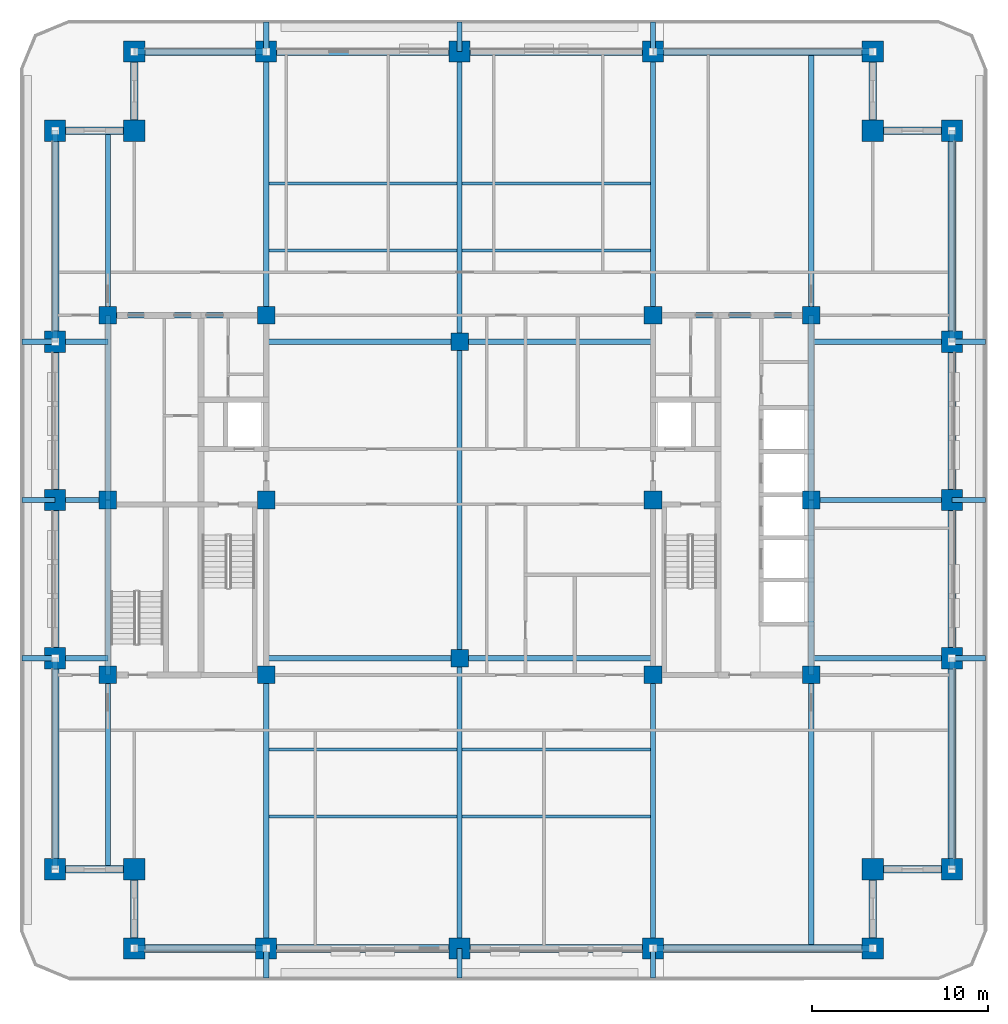
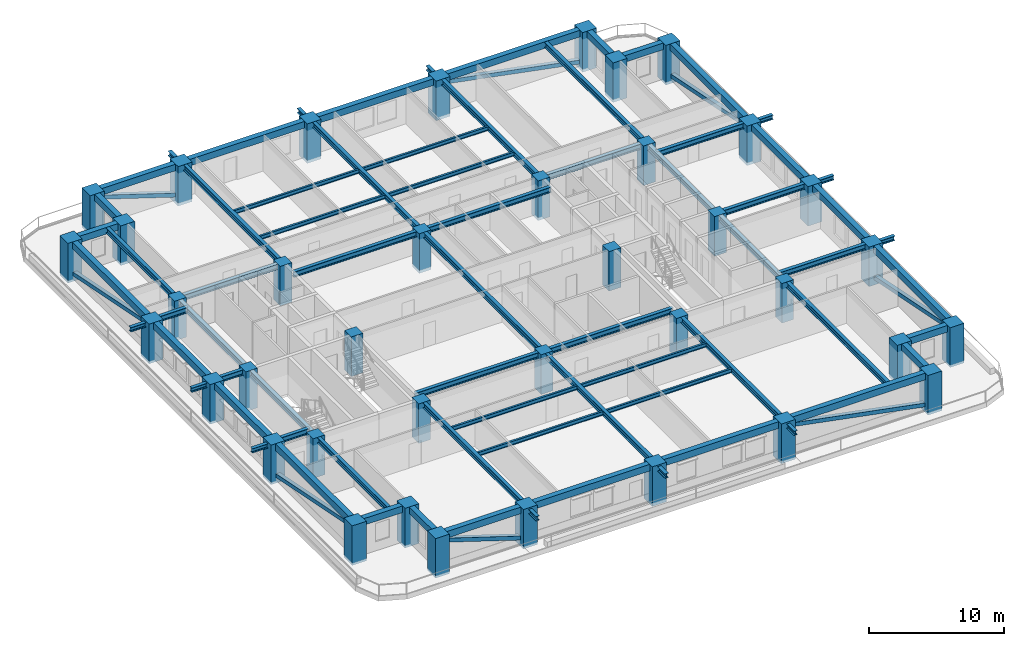
# One storey, part 1 of 14: 71 beams, 38 columns, 8 members.
"""IFC4 building model written with IfcOpenShell, lengths in metres."""

from ifc_helpers import new_model, si_unit, direction, frame, origin, origin_2d, place, context, subcontext, project, spatial, rectangle, hollow_rectangle, i_section, extrude, material, material_profile, profile_set, type_object, element, save


model = new_model("IFC4")

# Units and contexts
model_context = context("Model", 3, precision=1e-05, world=origin(), true_north=direction((0.0, 1.0)))
body_context = subcontext(model_context, "Body", "Model", "MODEL_VIEW")
ifc_project = project(units=[si_unit("LENGTHUNIT", "METRE"), si_unit("AREAUNIT", "SQUARE_METRE"), si_unit("VOLUMEUNIT", "CUBIC_METRE"), si_unit("PLANEANGLEUNIT", "RADIAN"), si_unit("MASSUNIT", "GRAM", prefix="KILO")], contexts=[model_context])

# Site, building, storey
site_placement = place(None, origin())
site = spatial("IfcSite", under=ifc_project, at=site_placement, CompositionType="ELEMENT")
building_placement = place(site_placement, origin())
building = spatial("IfcBuilding", under=site, at=building_placement, Name="Zulmaris Gate Convention Tower", CompositionType="ELEMENT")
storey_placement = place(building_placement, frame((0.0, 0.0, 102.06982421875)))
storey = spatial("IfcBuildingStorey", under=building, at=storey_placement, Name="L25", CompositionType="ELEMENT", Elevation=102.06982421875)

# Columns
ifc_material_1 = material(Name="Concrete C60/75", Category="concrete")
ifc_material_profile_1 = material_profile(ifc_material_1, rectangle(XDim=1.0, YDim=1.0, at=origin_2d()), Name="RC COL 1000x1000")
ifc_profile_set_1 = profile_set([ifc_material_profile_1], Name="Concrete C60/75")
column_type_1 = type_object("IfcColumnType", Name="COL-RC1000", PredefinedType="COLUMN", material=ifc_profile_set_1)
for number, where, z_axis, x_axis, name in (
    (1, (-20.0, -9.949951171875, -0.25), (0.0, 0.0, 1.0), (1.0, 0.0, 0.0), "L25 Column IN--20.00_-9.95"),
    (2, (-20.0, 10.5, -0.25), (0.0, 0.0, 1.0), (1.0, 0.0, 0.0), "L25 Column IN--20.00_+10.50"),
    (3, (-11.0, -9.949951171875, -0.25), (0.0, 0.0, 1.0), (1.0, 0.0, 0.0), "L25 Column IN--11.00_-9.95"),
    (4, (-11.0, 0.0, -0.25), (0.0, 0.0, 1.0), (1.0, 0.0, 0.0), "L25 Column IN--11.00_+0.00"),
    (5, (-11.0, 10.5, -0.25), (0.0, 0.0, 1.0), (1.0, 0.0, 0.0), "L25 Column IN--11.00_+10.50"),
    (6, (11.0, -9.949951171875, -0.25), (0.0, 0.0, 1.0), (1.0, 0.0, 0.0), "L25 Column IN-+11.00_-9.95"),
    (7, (11.0, 0.0, -0.25), (0.0, 0.0, 1.0), (1.0, 0.0, 0.0), "L25 Column IN-+11.00_+0.00"),
    (8, (11.0, 10.5, -0.25), (0.0, 0.0, 1.0), (1.0, 0.0, 0.0), "L25 Column IN-+11.00_+10.50"),
    (9, (20.0, -9.949951171875, -0.25), (0.0, 0.0, 1.0), (1.0, 0.0, 0.0), "L25 Column IN-+20.00_-9.95"),
    (10, (20.0, 10.5, -0.25), (0.0, 0.0, 1.0), (1.0, 0.0, 0.0), "L25 Column IN-+20.00_+10.50"),
    (11, (0.0, -9.0, -0.25), (0.0, 0.0, 1.0), (1.0, 0.0, 0.0), "L25 Column IN-+0.00_-9.00"),
    (12, (0.0, 9.0, -0.25), (0.0, 0.0, 1.0), (1.0, 0.0, 0.0), "L25 Column IN-+0.00_+9.00"),
    (13, (-20.0, 0.0, -0.25), (0.0, 0.0, 1.0), (1.0, 0.0, 0.0), "L25 Column IN--20.00_+0.00"),
    (14, (20.0, 0.0, -0.25), (0.0, 0.0, 1.0), (1.0, 0.0, 0.0), "L25 Column IN-+20.00_+0.00"),
):
    element("IfcColumn", number, at=place(storey_placement, frame(where, z_axis=z_axis, x_axis=x_axis)), inside=storey, type_object=column_type_1, Name=name, PredefinedType="COLUMN", context=body_context, shape_type="SweptSolid", body=[
        extrude(rectangle(XDim=1.0, YDim=1.0, at=origin_2d()), origin(), (0.0, 0.0, 1.0), 3.570068359375),
    ])
ifc_material_2 = material(Name="Concrete C70/85", Category="concrete")
ifc_material_profile_2 = material_profile(ifc_material_2, rectangle(XDim=1.199951171875, YDim=1.199951171875, at=origin_2d()), Name="RC COL 1200x1200")
ifc_profile_set_2 = profile_set([ifc_material_profile_2], Name="Concrete C70/85")
column_type_2 = type_object("IfcColumnType", Name="COL-RC1200", PredefinedType="COLUMN", material=ifc_profile_set_2)
for number, where, z_axis, x_axis, name in (
    (15, (-18.5, -25.5, -0.25), (0.0, 0.0, 1.0), (1.0, 0.0, 0.0), "L25 Column PT--18.50_-25.50"),
    (16, (-11.0, -25.5, -0.25), (0.0, 0.0, 1.0), (1.0, 0.0, 0.0), "L25 Column PT--11.00_-25.50"),
    (17, (0.0, -25.5, -0.25), (0.0, 0.0, 1.0), (1.0, 0.0, 0.0), "L25 Column PT-+0.00_-25.50"),
    (18, (11.0, -25.5, -0.25), (0.0, 0.0, 1.0), (1.0, 0.0, 0.0), "L25 Column PT-+11.00_-25.50"),
    (19, (23.5, -25.5, -0.25), (0.0, 0.0, 1.0), (1.0, 0.0, 0.0), "L25 Column PT-+23.50_-25.50"),
    (20, (-18.5, 25.5, -0.25), (0.0, 0.0, 1.0), (1.0, 0.0, 0.0), "L25 Column PT--18.50_+25.50"),
    (21, (-11.0, 25.5, -0.25), (0.0, 0.0, 1.0), (1.0, 0.0, 0.0), "L25 Column PT--11.00_+25.50"),
    (22, (0.0, 25.5, -0.25), (0.0, 0.0, 1.0), (1.0, 0.0, 0.0), "L25 Column PT-+0.00_+25.50"),
    (23, (11.0, 25.5, -0.25), (0.0, 0.0, 1.0), (1.0, 0.0, 0.0), "L25 Column PT-+11.00_+25.50"),
    (24, (23.5, 25.5, -0.25), (0.0, 0.0, 1.0), (1.0, 0.0, 0.0), "L25 Column PT-+23.50_+25.50"),
    (25, (-23.0, -21.0, -0.25), (0.0, 0.0, 1.0), (1.0, 0.0, 0.0), "L25 Column PT--23.00_-21.00"),
    (26, (-23.0, -9.0, -0.25), (0.0, 0.0, 1.0), (1.0, 0.0, 0.0), "L25 Column PT--23.00_-9.00"),
    (27, (-23.0, 0.0, -0.25), (0.0, 0.0, 1.0), (1.0, 0.0, 0.0), "L25 Column PT--23.00_+0.00"),
    (28, (-23.0, 9.0, -0.25), (0.0, 0.0, 1.0), (1.0, 0.0, 0.0), "L25 Column PT--23.00_+9.00"),
    (29, (-23.0, 21.0, -0.25), (0.0, 0.0, 1.0), (1.0, 0.0, 0.0), "L25 Column PT--23.00_+21.00"),
    (30, (28.0, -21.0, -0.25), (0.0, 0.0, 1.0), (1.0, 0.0, 0.0), "L25 Column PT-+28.00_-21.00"),
    (31, (28.0, -9.0, -0.25), (0.0, 0.0, 1.0), (1.0, 0.0, 0.0), "L25 Column PT-+28.00_-9.00"),
    (32, (28.0, 0.0, -0.25), (0.0, 0.0, 1.0), (1.0, 0.0, 0.0), "L25 Column PT-+28.00_+0.00"),
    (33, (28.0, 9.0, -0.25), (0.0, 0.0, 1.0), (1.0, 0.0, 0.0), "L25 Column PT-+28.00_+9.00"),
    (34, (28.0, 21.0, -0.25), (0.0, 0.0, 1.0), (1.0, 0.0, 0.0), "L25 Column PT-+28.00_+21.00"),
    (35, (-18.5, -21.0, -0.25), (0.0, 0.0, 1.0), (1.0, 0.0, 0.0), "L25 Column PT--18.50_-21.00"),
    (36, (23.5, -21.0, -0.25), (0.0, 0.0, 1.0), (1.0, 0.0, 0.0), "L25 Column PT-+23.50_-21.00"),
    (37, (23.5, 21.0, -0.25), (0.0, 0.0, 1.0), (1.0, 0.0, 0.0), "L25 Column PT-+23.50_+21.00"),
    (38, (-18.5, 21.0, -0.25), (0.0, 0.0, 1.0), (1.0, 0.0, 0.0), "L25 Column PT--18.50_+21.00"),
):
    element("IfcColumn", number, at=place(storey_placement, frame(where, z_axis=z_axis, x_axis=x_axis)), inside=storey, type_object=column_type_2, Name=name, PredefinedType="COLUMN", context=body_context, shape_type="SweptSolid", body=[
        extrude(rectangle(XDim=1.199951171875, YDim=1.199951171875, at=origin_2d()), origin(), (0.0, 0.0, 1.0), 3.570068359375),
    ])

# Beams
ifc_material_3 = material(Name="Steel S355", Category="steel")
ifc_material_profile_3 = material_profile(ifc_material_3, i_section(OverallWidth=0.300048828125, OverallDepth=0.39990234375, WebThickness=0.013427734375, FlangeThickness=0.02392578125, FilletRadius=0.027099609375, at=origin_2d()), Name="HEB 400")
ifc_profile_set_3 = profile_set([ifc_material_profile_3], Name="Steel S355")
beam_type_1 = type_object("IfcBeamType", Name="BM-HEB400", PredefinedType="BEAM", material=ifc_profile_set_3)
for number, where, z_axis, x_axis, name in (
    (39, (-11.0, -27.199951171875, 2.97998046875), (0.0, 1.0, 0.0), (-1.0, 0.0, 0.0), "L25 Beam TBRK-L25-S--11"),
    (40, (-11.0, 25.5, 2.97998046875), (0.0, 1.0, 0.0), (-1.0, 0.0, 0.0), "L25 Beam TBRK-L25-N--11"),
    (41, (0.0, -27.199951171875, 2.97998046875), (0.0, 1.0, 0.0), (-1.0, 0.0, 0.0), "L25 Beam TBRK-L25-S-+0"),
    (42, (0.0, 25.5, 2.97998046875), (0.0, 1.0, 0.0), (-1.0, 0.0, 0.0), "L25 Beam TBRK-L25-N-+0"),
    (43, (11.0, -27.199951171875, 2.97998046875), (0.0, 1.0, 0.0), (-1.0, 0.0, 0.0), "L25 Beam TBRK-L25-S-+11"),
    (44, (11.0, 25.5, 2.97998046875), (0.0, 1.0, 0.0), (-1.0, 0.0, 0.0), "L25 Beam TBRK-L25-N-+11"),
):
    element("IfcBeam", number, at=place(storey_placement, frame(where, z_axis=z_axis, x_axis=x_axis)), inside=storey, type_object=beam_type_1, Name=name, PredefinedType="BEAM", context=body_context, shape_type="SweptSolid", body=[
        extrude(i_section(OverallWidth=0.300048828125, OverallDepth=0.39990234375, WebThickness=0.013427734375, FlangeThickness=0.02392578125, FilletRadius=0.027099609375, at=origin_2d()), origin(), (0.0, 0.0, 1.0), 1.699951171875),
    ])
for number, where, z_axis, x_axis, name in (
    (45, (-24.89990234375, -9.0, 2.97998046875), (1.0, 0.0, 0.0), (0.0, 1.0, 0.0), "L25 Beam TBRK-L25-W--9"),
    (46, (28.0, -9.0, 2.97998046875), (1.0, 0.0, 0.0), (0.0, 1.0, 0.0), "L25 Beam TBRK-L25-E--9"),
    (47, (-24.89990234375, 0.0, 2.97998046875), (1.0, 0.0, 0.0), (0.0, 1.0, 0.0), "L25 Beam TBRK-L25-W-+0"),
    (48, (28.0, 0.0, 2.97998046875), (1.0, 0.0, 0.0), (0.0, 1.0, 0.0), "L25 Beam TBRK-L25-E-+0"),
    (49, (-24.89990234375, 9.0, 2.97998046875), (1.0, 0.0, 0.0), (0.0, 1.0, 0.0), "L25 Beam TBRK-L25-W-+9"),
    (50, (28.0, 9.0, 2.97998046875), (1.0, 0.0, 0.0), (0.0, 1.0, 0.0), "L25 Beam TBRK-L25-E-+9"),
):
    element("IfcBeam", number, at=place(storey_placement, frame(where, z_axis=z_axis, x_axis=x_axis)), inside=storey, type_object=beam_type_1, Name=name, PredefinedType="BEAM", context=body_context, shape_type="SweptSolid", body=[
        extrude(i_section(OverallWidth=0.300048828125, OverallDepth=0.39990234375, WebThickness=0.013427734375, FlangeThickness=0.02392578125, FilletRadius=0.027099609375, at=origin_2d()), origin(), (0.0, 0.0, 1.0), 1.89990234375),
    ])
ifc_material_profile_4 = material_profile(ifc_material_3, i_section(OverallWidth=0.300048828125, OverallDepth=0.5, WebThickness=0.014404296875, FlangeThickness=0.028076171875, FilletRadius=0.027099609375, at=origin_2d()), Name="HEB 500")
ifc_profile_set_4 = profile_set([ifc_material_profile_4], Name="Steel S355")
beam_type_2 = type_object("IfcBeamType", Name="BM-HEB500", PredefinedType="BEAM", material=ifc_profile_set_4)
for number, where, z_axis, x_axis, name in (
    (51, (-11.0, -9.0, 3.068115234375), (1.0, 0.0, 0.0), (0.0, 1.0, 0.0), "L25 Beam BM-L25-G01"),
    (52, (0.0, -9.0, 3.068115234375), (1.0, 0.0, 0.0), (0.0, 1.0, 0.0), "L25 Beam BM-L25-G02"),
    (53, (-11.0, 9.0, 3.068115234375), (1.0, 0.0, 0.0), (0.0, 1.0, 0.0), "L25 Beam BM-L25-G03"),
    (54, (0.0, 9.0, 3.068115234375), (1.0, 0.0, 0.0), (0.0, 1.0, 0.0), "L25 Beam BM-L25-G04"),
):
    element("IfcBeam", number, at=place(storey_placement, frame(where, z_axis=z_axis, x_axis=x_axis)), inside=storey, type_object=beam_type_2, Name=name, PredefinedType="BEAM", context=body_context, shape_type="SweptSolid", body=[
        extrude(i_section(OverallWidth=0.300048828125, OverallDepth=0.5, WebThickness=0.014404296875, FlangeThickness=0.028076171875, FilletRadius=0.027099609375, at=origin_2d()), origin(), (0.0, 0.0, 1.0), 11.0),
    ])
beam_1_placement = place(storey_placement, frame((0.0, -25.5, 3.068115234375), z_axis=(0.0, 1.0, 0.0), x_axis=(-1.0, 0.0, 0.0)))
element("IfcBeam", 55, at=beam_1_placement, inside=storey, type_object=beam_type_2, Name="L25 Beam BM-L25-G05", PredefinedType="BEAM", context=body_context, shape_type="SweptSolid", body=[
    extrude(i_section(OverallWidth=0.300048828125, OverallDepth=0.5, WebThickness=0.014404296875, FlangeThickness=0.028076171875, FilletRadius=0.027099609375, at=origin_2d()), origin(), (0.0, 0.0, 1.0), 16.5),
])
beam_2_placement = place(storey_placement, frame((0.0, -9.0, 3.068115234375), z_axis=(0.0, 1.0, 0.0), x_axis=(-1.0, 0.0, 0.0)))
element("IfcBeam", 56, at=beam_2_placement, inside=storey, type_object=beam_type_2, Name="L25 Beam BM-L25-G06", PredefinedType="BEAM", context=body_context, shape_type="SweptSolid", body=[
    extrude(i_section(OverallWidth=0.300048828125, OverallDepth=0.5, WebThickness=0.014404296875, FlangeThickness=0.028076171875, FilletRadius=0.027099609375, at=origin_2d()), origin(), (0.0, 0.0, 1.0), 18.0),
])
beam_3_placement = place(storey_placement, frame((0.0, 9.0, 3.068115234375), z_axis=(0.0, 1.0, 0.0), x_axis=(-1.0, 0.0, 0.0)))
element("IfcBeam", 57, at=beam_3_placement, inside=storey, type_object=beam_type_2, Name="L25 Beam BM-L25-G07", PredefinedType="BEAM", context=body_context, shape_type="SweptSolid", body=[
    extrude(i_section(OverallWidth=0.300048828125, OverallDepth=0.5, WebThickness=0.014404296875, FlangeThickness=0.028076171875, FilletRadius=0.027099609375, at=origin_2d()), origin(), (0.0, 0.0, 1.0), 16.5),
])
beam_4_placement = place(storey_placement, frame((-11.0, -25.5, 3.068115234375), z_axis=(0.0, 1.0, 0.0), x_axis=(-1.0, 0.0, 0.0)))
element("IfcBeam", 58, at=beam_4_placement, inside=storey, type_object=beam_type_2, Name="L25 Beam BM-L25-G08", PredefinedType="BEAM", context=body_context, shape_type="SweptSolid", body=[
    extrude(i_section(OverallWidth=0.300048828125, OverallDepth=0.5, WebThickness=0.014404296875, FlangeThickness=0.028076171875, FilletRadius=0.027099609375, at=origin_2d()), origin(), (0.0, 0.0, 1.0), 15.550048828125),
])
beam_5_placement = place(storey_placement, frame((-11.0, 10.5, 3.068115234375), z_axis=(0.0, 1.0, 0.0), x_axis=(-1.0, 0.0, 0.0)))
element("IfcBeam", 59, at=beam_5_placement, inside=storey, type_object=beam_type_2, Name="L25 Beam BM-L25-G09", PredefinedType="BEAM", context=body_context, shape_type="SweptSolid", body=[
    extrude(i_section(OverallWidth=0.300048828125, OverallDepth=0.5, WebThickness=0.014404296875, FlangeThickness=0.028076171875, FilletRadius=0.027099609375, at=origin_2d()), origin(), (0.0, 0.0, 1.0), 15.0),
])
beam_6_placement = place(storey_placement, frame((11.0, -25.5, 3.068115234375), z_axis=(0.0, 1.0, 0.0), x_axis=(-1.0, 0.0, 0.0)))
element("IfcBeam", 60, at=beam_6_placement, inside=storey, type_object=beam_type_2, Name="L25 Beam BM-L25-G10", PredefinedType="BEAM", context=body_context, shape_type="SweptSolid", body=[
    extrude(i_section(OverallWidth=0.300048828125, OverallDepth=0.5, WebThickness=0.014404296875, FlangeThickness=0.028076171875, FilletRadius=0.027099609375, at=origin_2d()), origin(), (0.0, 0.0, 1.0), 15.550048828125),
])
beam_7_placement = place(storey_placement, frame((11.0, 10.5, 3.068115234375), z_axis=(0.0, 1.0, 0.0), x_axis=(-1.0, 0.0, 0.0)))
element("IfcBeam", 61, at=beam_7_placement, inside=storey, type_object=beam_type_2, Name="L25 Beam BM-L25-G11", PredefinedType="BEAM", context=body_context, shape_type="SweptSolid", body=[
    extrude(i_section(OverallWidth=0.300048828125, OverallDepth=0.5, WebThickness=0.014404296875, FlangeThickness=0.028076171875, FilletRadius=0.027099609375, at=origin_2d()), origin(), (0.0, 0.0, 1.0), 15.0),
])
beam_8_placement = place(storey_placement, frame((-20.0, -21.0, 3.068115234375), z_axis=(0.0, 1.0, 0.0), x_axis=(-1.0, 0.0, 0.0)))
element("IfcBeam", 62, at=beam_8_placement, inside=storey, type_object=beam_type_2, Name="L25 Beam BM-L25-G12", PredefinedType="BEAM", context=body_context, shape_type="SweptSolid", body=[
    extrude(i_section(OverallWidth=0.300048828125, OverallDepth=0.5, WebThickness=0.014404296875, FlangeThickness=0.028076171875, FilletRadius=0.027099609375, at=origin_2d()), origin(), (0.0, 0.0, 1.0), 11.050048828125),
])
beam_9_placement = place(storey_placement, frame((-20.0, 10.5, 3.068115234375), z_axis=(0.0, 1.0, 0.0), x_axis=(-1.0, 0.0, 0.0)))
element("IfcBeam", 63, at=beam_9_placement, inside=storey, type_object=beam_type_2, Name="L25 Beam BM-L25-G13", PredefinedType="BEAM", context=body_context, shape_type="SweptSolid", body=[
    extrude(i_section(OverallWidth=0.300048828125, OverallDepth=0.5, WebThickness=0.014404296875, FlangeThickness=0.028076171875, FilletRadius=0.027099609375, at=origin_2d()), origin(), (0.0, 0.0, 1.0), 10.5),
])
beam_10_placement = place(storey_placement, frame((20.0, -25.5, 3.068115234375), z_axis=(0.0, 1.0, 0.0), x_axis=(-1.0, 0.0, 0.0)))
element("IfcBeam", 64, at=beam_10_placement, inside=storey, type_object=beam_type_2, Name="L25 Beam BM-L25-G14", PredefinedType="BEAM", context=body_context, shape_type="SweptSolid", body=[
    extrude(i_section(OverallWidth=0.300048828125, OverallDepth=0.5, WebThickness=0.014404296875, FlangeThickness=0.028076171875, FilletRadius=0.027099609375, at=origin_2d()), origin(), (0.0, 0.0, 1.0), 15.550048828125),
])
beam_11_placement = place(storey_placement, frame((20.0, 10.5, 3.068115234375), z_axis=(0.0, 1.0, 0.0), x_axis=(-1.0, 0.0, 0.0)))
element("IfcBeam", 65, at=beam_11_placement, inside=storey, type_object=beam_type_2, Name="L25 Beam BM-L25-G15", PredefinedType="BEAM", context=body_context, shape_type="SweptSolid", body=[
    extrude(i_section(OverallWidth=0.300048828125, OverallDepth=0.5, WebThickness=0.014404296875, FlangeThickness=0.028076171875, FilletRadius=0.027099609375, at=origin_2d()), origin(), (0.0, 0.0, 1.0), 15.0),
])
for number, where, z_axis, x_axis, name in (
    (66, (-23.0, -9.0, 3.068115234375), (1.0, 0.0, 0.0), (0.0, 1.0, 0.0), "L25 Beam BM-L25-G16"),
    (67, (-23.0, 0.0, 3.068115234375), (1.0, 0.0, 0.0), (0.0, 1.0, 0.0), "L25 Beam BM-L25-G17"),
    (68, (-23.0, 9.0, 3.068115234375), (1.0, 0.0, 0.0), (0.0, 1.0, 0.0), "L25 Beam BM-L25-G18"),
):
    element("IfcBeam", number, at=place(storey_placement, frame(where, z_axis=z_axis, x_axis=x_axis)), inside=storey, type_object=beam_type_2, Name=name, PredefinedType="BEAM", context=body_context, shape_type="SweptSolid", body=[
        extrude(i_section(OverallWidth=0.300048828125, OverallDepth=0.5, WebThickness=0.014404296875, FlangeThickness=0.028076171875, FilletRadius=0.027099609375, at=origin_2d()), origin(), (0.0, 0.0, 1.0), 3.0),
    ])
for number, where, z_axis, x_axis, name in (
    (69, (20.0, -9.0, 3.068115234375), (1.0, 0.0, 0.0), (0.0, 1.0, 0.0), "L25 Beam BM-L25-G19"),
    (70, (20.0, 0.0, 3.068115234375), (1.0, 0.0, 0.0), (0.0, 1.0, 0.0), "L25 Beam BM-L25-G20"),
    (71, (20.0, 9.0, 3.068115234375), (1.0, 0.0, 0.0), (0.0, 1.0, 0.0), "L25 Beam BM-L25-G21"),
):
    element("IfcBeam", number, at=place(storey_placement, frame(where, z_axis=z_axis, x_axis=x_axis)), inside=storey, type_object=beam_type_2, Name=name, PredefinedType="BEAM", context=body_context, shape_type="SweptSolid", body=[
        extrude(i_section(OverallWidth=0.300048828125, OverallDepth=0.5, WebThickness=0.014404296875, FlangeThickness=0.028076171875, FilletRadius=0.027099609375, at=origin_2d()), origin(), (0.0, 0.0, 1.0), 8.0),
    ])
for number, where, z_axis, x_axis, name in (
    (72, (-20.0, 10.5, 3.068115234375), (1.0, 0.0, 0.0), (0.0, 1.0, 0.0), "L25 Beam BM-L25-G23"),
    (73, (11.0, 10.5, 3.068115234375), (1.0, 0.0, 0.0), (0.0, 1.0, 0.0), "L25 Beam BM-L25-G25"),
):
    element("IfcBeam", number, at=place(storey_placement, frame(where, z_axis=z_axis, x_axis=x_axis)), inside=storey, type_object=beam_type_2, Name=name, PredefinedType="BEAM", context=body_context, shape_type="SweptSolid", body=[
        extrude(i_section(OverallWidth=0.300048828125, OverallDepth=0.5, WebThickness=0.014404296875, FlangeThickness=0.028076171875, FilletRadius=0.027099609375, at=origin_2d()), origin(), (0.0, 0.0, 1.0), 9.0),
    ])
beam_12_placement = place(storey_placement, frame((-20.0, -9.949951171875, 3.068115234375), z_axis=(0.0, 1.0, 0.0), x_axis=(-1.0, 0.0, 0.0)))
element("IfcBeam", 74, at=beam_12_placement, inside=storey, type_object=beam_type_2, Name="L25 Beam BM-L25-G26", PredefinedType="BEAM", context=body_context, shape_type="SweptSolid", body=[
    extrude(i_section(OverallWidth=0.300048828125, OverallDepth=0.5, WebThickness=0.014404296875, FlangeThickness=0.028076171875, FilletRadius=0.027099609375, at=origin_2d()), origin(), (0.0, 0.0, 1.0), 9.949951171875),
])
beam_13_placement = place(storey_placement, frame((-20.0, 0.0, 3.068115234375), z_axis=(0.0, 1.0, 0.0), x_axis=(-1.0, 0.0, 0.0)))
element("IfcBeam", 75, at=beam_13_placement, inside=storey, type_object=beam_type_2, Name="L25 Beam BM-L25-G27", PredefinedType="BEAM", context=body_context, shape_type="SweptSolid", body=[
    extrude(i_section(OverallWidth=0.300048828125, OverallDepth=0.5, WebThickness=0.014404296875, FlangeThickness=0.028076171875, FilletRadius=0.027099609375, at=origin_2d()), origin(), (0.0, 0.0, 1.0), 10.5),
])
beam_14_placement = place(storey_placement, frame((20.0, -9.949951171875, 3.068115234375), z_axis=(0.0, 1.0, 0.0), x_axis=(-1.0, 0.0, 0.0)))
element("IfcBeam", 76, at=beam_14_placement, inside=storey, type_object=beam_type_2, Name="L25 Beam BM-L25-G28", PredefinedType="BEAM", context=body_context, shape_type="SweptSolid", body=[
    extrude(i_section(OverallWidth=0.300048828125, OverallDepth=0.5, WebThickness=0.014404296875, FlangeThickness=0.028076171875, FilletRadius=0.027099609375, at=origin_2d()), origin(), (0.0, 0.0, 1.0), 9.949951171875),
])
beam_15_placement = place(storey_placement, frame((20.0, 0.0, 3.068115234375), z_axis=(0.0, 1.0, 0.0), x_axis=(-1.0, 0.0, 0.0)))
element("IfcBeam", 77, at=beam_15_placement, inside=storey, type_object=beam_type_2, Name="L25 Beam BM-L25-G29", PredefinedType="BEAM", context=body_context, shape_type="SweptSolid", body=[
    extrude(i_section(OverallWidth=0.300048828125, OverallDepth=0.5, WebThickness=0.014404296875, FlangeThickness=0.028076171875, FilletRadius=0.027099609375, at=origin_2d()), origin(), (0.0, 0.0, 1.0), 10.5),
])
ifc_material_4 = material(Name="Precast concrete C50/60", Category="concrete")
ifc_material_profile_5 = material_profile(ifc_material_4, rectangle(XDim=0.449951171875, YDim=0.60009765625, at=origin_2d()), Name="RC SPANDREL 450x600")
ifc_profile_set_5 = profile_set([ifc_material_profile_5], Name="Precast concrete C50/60")
beam_type_3 = type_object("IfcBeamType", Name="BM-SP450x600", PredefinedType="SPANDREL", material=ifc_profile_set_5)
beam_16_placement = place(storey_placement, frame((-18.5, -25.5, 3.02001953125), z_axis=(1.0, 0.0, 0.0), x_axis=(0.0, 1.0, 0.0)))
element("IfcBeam", 78, at=beam_16_placement, inside=storey, type_object=beam_type_3, Name="L25 Spandrel SP-L25-01", PredefinedType="SPANDREL", context=body_context, shape_type="SweptSolid", body=[
    extrude(rectangle(XDim=0.449951171875, YDim=0.60009765625, at=origin_2d()), origin(), (0.0, 0.0, 1.0), 7.5),
])
for number, where, z_axis, x_axis, name in (
    (79, (-11.0, -25.5, 3.02001953125), (1.0, 0.0, 0.0), (0.0, 1.0, 0.0), "L25 Spandrel SP-L25-02"),
    (80, (0.0, -25.5, 3.02001953125), (1.0, 0.0, 0.0), (0.0, 1.0, 0.0), "L25 Spandrel SP-L25-03"),
):
    element("IfcBeam", number, at=place(storey_placement, frame(where, z_axis=z_axis, x_axis=x_axis)), inside=storey, type_object=beam_type_3, Name=name, PredefinedType="SPANDREL", context=body_context, shape_type="SweptSolid", body=[
        extrude(rectangle(XDim=0.449951171875, YDim=0.60009765625, at=origin_2d()), origin(), (0.0, 0.0, 1.0), 11.0),
    ])
beam_17_placement = place(storey_placement, frame((11.0, -25.5, 3.02001953125), z_axis=(1.0, 0.0, 0.0), x_axis=(0.0, 1.0, 0.0)))
element("IfcBeam", 81, at=beam_17_placement, inside=storey, type_object=beam_type_3, Name="L25 Spandrel SP-L25-04", PredefinedType="SPANDREL", context=body_context, shape_type="SweptSolid", body=[
    extrude(rectangle(XDim=0.449951171875, YDim=0.60009765625, at=origin_2d()), origin(), (0.0, 0.0, 1.0), 12.5),
])
for number, where, z_axis, x_axis, name in (
    (82, (23.5, -25.5, 3.02001953125), (0.0, 1.0, 0.0), (-1.0, 0.0, 0.0), "L25 Spandrel SP-L25-05"),
    (83, (23.5, -21.0, 3.02001953125), (1.0, 0.0, 0.0), (0.0, 1.0, 0.0), "L25 Spandrel SP-L25-06"),
):
    element("IfcBeam", number, at=place(storey_placement, frame(where, z_axis=z_axis, x_axis=x_axis)), inside=storey, type_object=beam_type_3, Name=name, PredefinedType="SPANDREL", context=body_context, shape_type="SweptSolid", body=[
        extrude(rectangle(XDim=0.449951171875, YDim=0.60009765625, at=origin_2d()), origin(), (0.0, 0.0, 1.0), 4.5),
    ])
beam_18_placement = place(storey_placement, frame((28.0, -21.0, 3.02001953125), z_axis=(0.0, 1.0, 0.0), x_axis=(-1.0, 0.0, 0.0)))
element("IfcBeam", 84, at=beam_18_placement, inside=storey, type_object=beam_type_3, Name="L25 Spandrel SP-L25-07", PredefinedType="SPANDREL", context=body_context, shape_type="SweptSolid", body=[
    extrude(rectangle(XDim=0.449951171875, YDim=0.60009765625, at=origin_2d()), origin(), (0.0, 0.0, 1.0), 12.0),
])
for number, where, z_axis, x_axis, name in (
    (85, (28.0, -9.0, 3.02001953125), (0.0, 1.0, 0.0), (-1.0, 0.0, 0.0), "L25 Spandrel SP-L25-08"),
    (86, (28.0, 0.0, 3.02001953125), (0.0, 1.0, 0.0), (-1.0, 0.0, 0.0), "L25 Spandrel SP-L25-09"),
):
    element("IfcBeam", number, at=place(storey_placement, frame(where, z_axis=z_axis, x_axis=x_axis)), inside=storey, type_object=beam_type_3, Name=name, PredefinedType="SPANDREL", context=body_context, shape_type="SweptSolid", body=[
        extrude(rectangle(XDim=0.449951171875, YDim=0.60009765625, at=origin_2d()), origin(), (0.0, 0.0, 1.0), 9.0),
    ])
beam_19_placement = place(storey_placement, frame((28.0, 9.0, 3.02001953125), z_axis=(0.0, 1.0, 0.0), x_axis=(-1.0, 0.0, 0.0)))
element("IfcBeam", 87, at=beam_19_placement, inside=storey, type_object=beam_type_3, Name="L25 Spandrel SP-L25-10", PredefinedType="SPANDREL", context=body_context, shape_type="SweptSolid", body=[
    extrude(rectangle(XDim=0.449951171875, YDim=0.60009765625, at=origin_2d()), origin(), (0.0, 0.0, 1.0), 12.0),
])
for number, where, z_axis, x_axis, name in (
    (88, (28.0, 21.0, 3.02001953125), (-1.0, 0.0, 0.0), (0.0, -1.0, 0.0), "L25 Spandrel SP-L25-11"),
    (89, (23.5, 21.0, 3.02001953125), (0.0, 1.0, 0.0), (-1.0, 0.0, 0.0), "L25 Spandrel SP-L25-12"),
):
    element("IfcBeam", number, at=place(storey_placement, frame(where, z_axis=z_axis, x_axis=x_axis)), inside=storey, type_object=beam_type_3, Name=name, PredefinedType="SPANDREL", context=body_context, shape_type="SweptSolid", body=[
        extrude(rectangle(XDim=0.449951171875, YDim=0.60009765625, at=origin_2d()), origin(), (0.0, 0.0, 1.0), 4.5),
    ])
beam_20_placement = place(storey_placement, frame((23.5, 25.5, 3.02001953125), z_axis=(-1.0, 0.0, 0.0), x_axis=(0.0, -1.0, 0.0)))
element("IfcBeam", 90, at=beam_20_placement, inside=storey, type_object=beam_type_3, Name="L25 Spandrel SP-L25-13", PredefinedType="SPANDREL", context=body_context, shape_type="SweptSolid", body=[
    extrude(rectangle(XDim=0.449951171875, YDim=0.60009765625, at=origin_2d()), origin(), (0.0, 0.0, 1.0), 12.5),
])
for number, where, z_axis, x_axis, name in (
    (91, (11.0, 25.5, 3.02001953125), (-1.0, 0.0, 0.0), (0.0, -1.0, 0.0), "L25 Spandrel SP-L25-14"),
    (92, (0.0, 25.5, 3.02001953125), (-1.0, 0.0, 0.0), (0.0, -1.0, 0.0), "L25 Spandrel SP-L25-15"),
):
    element("IfcBeam", number, at=place(storey_placement, frame(where, z_axis=z_axis, x_axis=x_axis)), inside=storey, type_object=beam_type_3, Name=name, PredefinedType="SPANDREL", context=body_context, shape_type="SweptSolid", body=[
        extrude(rectangle(XDim=0.449951171875, YDim=0.60009765625, at=origin_2d()), origin(), (0.0, 0.0, 1.0), 11.0),
    ])
beam_21_placement = place(storey_placement, frame((-11.0, 25.5, 3.02001953125), z_axis=(-1.0, 0.0, 0.0), x_axis=(0.0, -1.0, 0.0)))
element("IfcBeam", 93, at=beam_21_placement, inside=storey, type_object=beam_type_3, Name="L25 Spandrel SP-L25-16", PredefinedType="SPANDREL", context=body_context, shape_type="SweptSolid", body=[
    extrude(rectangle(XDim=0.449951171875, YDim=0.60009765625, at=origin_2d()), origin(), (0.0, 0.0, 1.0), 7.5),
])
for number, where, z_axis, x_axis, name in (
    (94, (-18.5, 25.5, 3.02001953125), (0.0, -1.0, 0.0), (1.0, 0.0, 0.0), "L25 Spandrel SP-L25-17"),
    (95, (-18.5, 21.0, 3.02001953125), (-1.0, 0.0, 0.0), (0.0, -1.0, 0.0), "L25 Spandrel SP-L25-18"),
):
    element("IfcBeam", number, at=place(storey_placement, frame(where, z_axis=z_axis, x_axis=x_axis)), inside=storey, type_object=beam_type_3, Name=name, PredefinedType="SPANDREL", context=body_context, shape_type="SweptSolid", body=[
        extrude(rectangle(XDim=0.449951171875, YDim=0.60009765625, at=origin_2d()), origin(), (0.0, 0.0, 1.0), 4.5),
    ])
beam_22_placement = place(storey_placement, frame((-23.0, 21.0, 3.02001953125), z_axis=(0.0, -1.0, 0.0), x_axis=(1.0, 0.0, 0.0)))
element("IfcBeam", 96, at=beam_22_placement, inside=storey, type_object=beam_type_3, Name="L25 Spandrel SP-L25-19", PredefinedType="SPANDREL", context=body_context, shape_type="SweptSolid", body=[
    extrude(rectangle(XDim=0.449951171875, YDim=0.60009765625, at=origin_2d()), origin(), (0.0, 0.0, 1.0), 12.0),
])
for number, where, z_axis, x_axis, name in (
    (97, (-23.0, 9.0, 3.02001953125), (0.0, -1.0, 0.0), (1.0, 0.0, 0.0), "L25 Spandrel SP-L25-20"),
    (98, (-23.0, 0.0, 3.02001953125), (0.0, -1.0, 0.0), (1.0, 0.0, 0.0), "L25 Spandrel SP-L25-21"),
):
    element("IfcBeam", number, at=place(storey_placement, frame(where, z_axis=z_axis, x_axis=x_axis)), inside=storey, type_object=beam_type_3, Name=name, PredefinedType="SPANDREL", context=body_context, shape_type="SweptSolid", body=[
        extrude(rectangle(XDim=0.449951171875, YDim=0.60009765625, at=origin_2d()), origin(), (0.0, 0.0, 1.0), 9.0),
    ])
beam_23_placement = place(storey_placement, frame((-23.0, -9.0, 3.02001953125), z_axis=(0.0, -1.0, 0.0), x_axis=(1.0, 0.0, 0.0)))
element("IfcBeam", 99, at=beam_23_placement, inside=storey, type_object=beam_type_3, Name="L25 Spandrel SP-L25-22", PredefinedType="SPANDREL", context=body_context, shape_type="SweptSolid", body=[
    extrude(rectangle(XDim=0.449951171875, YDim=0.60009765625, at=origin_2d()), origin(), (0.0, 0.0, 1.0), 12.0),
])
for number, where, z_axis, x_axis, name in (
    (100, (-23.0, -21.0, 3.02001953125), (1.0, 0.0, 0.0), (0.0, 1.0, 0.0), "L25 Spandrel SP-L25-23"),
    (101, (-18.5, -21.0, 3.02001953125), (0.0, -1.0, 0.0), (1.0, 0.0, 0.0), "L25 Spandrel SP-L25-24"),
):
    element("IfcBeam", number, at=place(storey_placement, frame(where, z_axis=z_axis, x_axis=x_axis)), inside=storey, type_object=beam_type_3, Name=name, PredefinedType="SPANDREL", context=body_context, shape_type="SweptSolid", body=[
        extrude(rectangle(XDim=0.449951171875, YDim=0.60009765625, at=origin_2d()), origin(), (0.0, 0.0, 1.0), 4.5),
    ])

# Members
ifc_material_5 = material(Name="Steel S460", Category="steel")
ifc_material_profile_6 = material_profile(ifc_material_5, hollow_rectangle(XDim=0.35009765625, YDim=0.35009765625, WallThickness=0.01611328125, at=origin_2d()), Name="SHS 350x350x16")
ifc_profile_set_6 = profile_set([ifc_material_profile_6], Name="Steel S460")
member_type = type_object("IfcMemberType", Name="BR-SHS350", PredefinedType="BRACE", material=ifc_profile_set_6)
for number, where, z_axis, x_axis, name in (
    (102, (-23.0, -9.0, 0.300048828125), (0.0, -0.98057837371, 0.196127644693), (1.0, 0.0, 0.0), "L25 Perimeter Tube Diagonal SW-W"),
    (103, (-23.0, 21.0, 0.300048828125), (0.0, -0.98057837371, 0.196127644693), (1.0, 0.0, 0.0), "L25 Perimeter Tube Diagonal NW-W"),
    (104, (28.0, -9.0, 0.300048828125), (0.0, -0.98057837371, 0.196127644693), (1.0, 0.0, 0.0), "L25 Perimeter Tube Diagonal SE-E"),
    (105, (28.0, 21.0, 0.300048828125), (0.0, -0.98057837371, 0.196127644693), (1.0, 0.0, 0.0), "L25 Perimeter Tube Diagonal NE-E"),
):
    element("IfcMember", number, at=place(storey_placement, frame(where, z_axis=z_axis, x_axis=x_axis)), inside=storey, type_object=member_type, Name=name, PredefinedType="BRACE", context=body_context, shape_type="SweptSolid", body=[
        extrude(hollow_rectangle(XDim=0.35009765625, YDim=0.35009765625, WallThickness=0.01611328125, at=origin_2d()), origin(), (0.0, 0.0, 1.0), 12.23779296875),
    ])
member_1_placement = place(storey_placement, frame((-11.0, -25.5, 0.300048828125), z_axis=(-0.952418747361, 0.0, 0.304792601084), x_axis=(0.0, -1.0, 0.0)))
element("IfcMember", 106, at=member_1_placement, inside=storey, type_object=member_type, Name="L25 Perimeter Tube Diagonal SW-S", PredefinedType="BRACE", context=body_context, shape_type="SweptSolid", body=[
    extrude(hollow_rectangle(XDim=0.35009765625, YDim=0.35009765625, WallThickness=0.01611328125, at=origin_2d()), origin(), (0.0, 0.0, 1.0), 7.874755859375),
])
member_2_placement = place(storey_placement, frame((23.5, -25.5, 0.300048828125), z_axis=(-0.982060310408, 0.0, 0.188567088118), x_axis=(0.0, -1.0, 0.0)))
element("IfcMember", 107, at=member_2_placement, inside=storey, type_object=member_type, Name="L25 Perimeter Tube Diagonal SE-S", PredefinedType="BRACE", context=body_context, shape_type="SweptSolid", body=[
    extrude(hollow_rectangle(XDim=0.35009765625, YDim=0.35009765625, WallThickness=0.01611328125, at=origin_2d()), origin(), (0.0, 0.0, 1.0), 12.728271484375),
])
member_3_placement = place(storey_placement, frame((-11.0, 25.5, 0.300048828125), z_axis=(-0.952418747361, 0.0, 0.304792601084), x_axis=(0.0, -1.0, 0.0)))
element("IfcMember", 108, at=member_3_placement, inside=storey, type_object=member_type, Name="L25 Perimeter Tube Diagonal NW-N", PredefinedType="BRACE", context=body_context, shape_type="SweptSolid", body=[
    extrude(hollow_rectangle(XDim=0.35009765625, YDim=0.35009765625, WallThickness=0.01611328125, at=origin_2d()), origin(), (0.0, 0.0, 1.0), 7.874755859375),
])
member_4_placement = place(storey_placement, frame((23.5, 25.5, 0.300048828125), z_axis=(-0.982060310408, 0.0, 0.188567088118), x_axis=(0.0, -1.0, 0.0)))
element("IfcMember", 109, at=member_4_placement, inside=storey, type_object=member_type, Name="L25 Perimeter Tube Diagonal NE-N", PredefinedType="BRACE", context=body_context, shape_type="SweptSolid", body=[
    extrude(hollow_rectangle(XDim=0.35009765625, YDim=0.35009765625, WallThickness=0.01611328125, at=origin_2d()), origin(), (0.0, 0.0, 1.0), 12.728271484375),
])

# Beams
ifc_material_profile_7 = material_profile(ifc_material_3, i_section(OverallWidth=0.169921875, OverallDepth=0.360107421875, WebThickness=0.008056640625, FlangeThickness=0.0126953125, FilletRadius=0.01806640625, at=origin_2d()), Name="IPE 360")
ifc_profile_set_7 = profile_set([ifc_material_profile_7], Name="Steel S355")
beam_type_4 = type_object("IfcBeamType", Name="JT-IPE360", PredefinedType="JOIST", material=ifc_profile_set_7)
for number, where, z_axis, x_axis, name in (
    (110, (-10.85009765625, -18.0, 3.13818359375), (1.0, 0.0, 0.0), (0.0, 1.0, 0.0), "L25 Joist JT-L25-CW--18.0"),
    (111, (0.14990234375, -18.0, 3.13818359375), (1.0, 0.0, 0.0), (0.0, 1.0, 0.0), "L25 Joist JT-L25-CE--18.0"),
    (112, (-10.85009765625, -14.199951171875, 3.13818359375), (1.0, 0.0, 0.0), (0.0, 1.0, 0.0), "L25 Joist JT-L25-CW--14.2"),
    (113, (0.14990234375, -14.199951171875, 3.13818359375), (1.0, 0.0, 0.0), (0.0, 1.0, 0.0), "L25 Joist JT-L25-CE--14.2"),
    (114, (-10.85009765625, 14.199951171875, 3.13818359375), (1.0, 0.0, 0.0), (0.0, 1.0, 0.0), "L25 Joist JT-L25-CW-+14.2"),
    (115, (0.14990234375, 14.199951171875, 3.13818359375), (1.0, 0.0, 0.0), (0.0, 1.0, 0.0), "L25 Joist JT-L25-CE-+14.2"),
    (116, (-10.85009765625, 18.0, 3.13818359375), (1.0, 0.0, 0.0), (0.0, 1.0, 0.0), "L25 Joist JT-L25-CW-+18.0"),
    (117, (0.14990234375, 18.0, 3.13818359375), (1.0, 0.0, 0.0), (0.0, 1.0, 0.0), "L25 Joist JT-L25-CE-+18.0"),
):
    element("IfcBeam", number, at=place(storey_placement, frame(where, z_axis=z_axis, x_axis=x_axis)), inside=storey, type_object=beam_type_4, Name=name, PredefinedType="JOIST", context=body_context, shape_type="SweptSolid", body=[
        extrude(i_section(OverallWidth=0.169921875, OverallDepth=0.360107421875, WebThickness=0.008056640625, FlangeThickness=0.0126953125, FilletRadius=0.01806640625, at=origin_2d()), origin(), (0.0, 0.0, 1.0), 10.7001953125),
    ])

save(model, "model.ifc")
